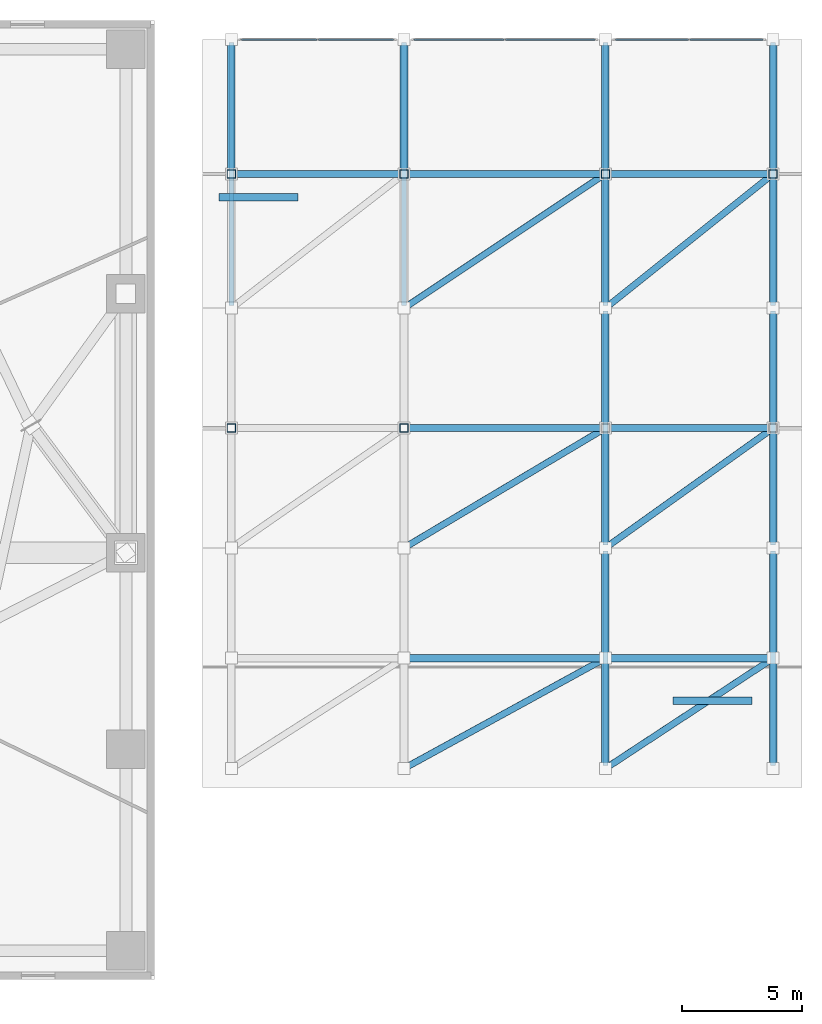
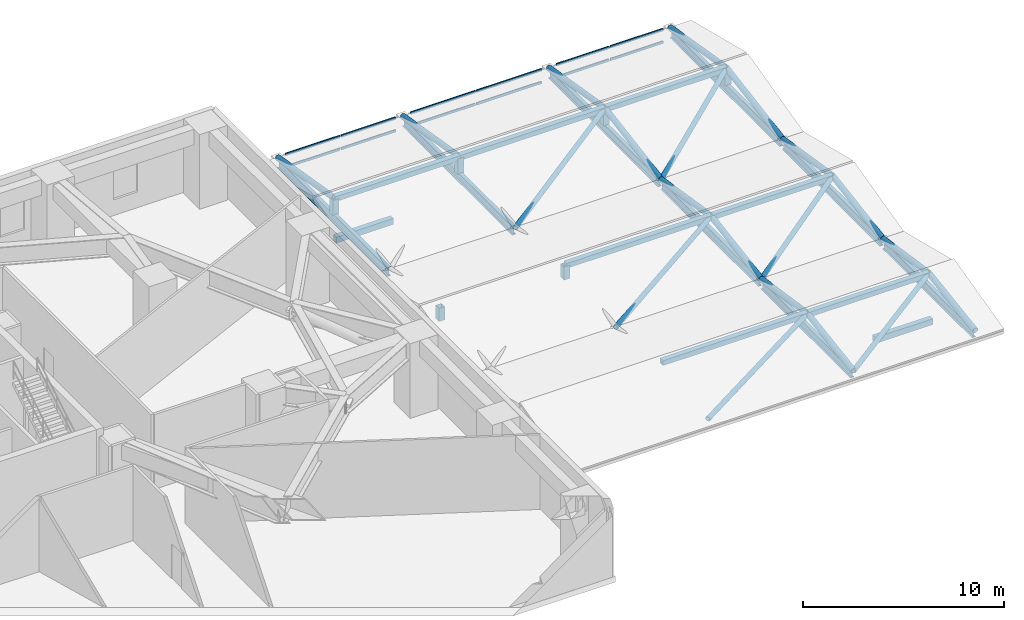
# One storey, part 3 of 13: 45 members, 10 beams, 3 elements without a shape of their own.
"""IFC4 building model written with IfcOpenShell, lengths in metres."""

from ifc_helpers import new_model, si_unit, direction, frame, origin, origin_2d, place, context, subcontext, project, spatial, rectangle, hollow_rectangle, hollow_circle, i_section, extrude, source, transform, mapped, material, layer, layer_set, material_profile, profile_set, type_object, type_shapes, element, aggregate, save


model = new_model("IFC4")

# Units and contexts
model_context = context("Model", 3, precision=1e-05, world=origin(), true_north=direction((0.0, 1.0)))
body_context = subcontext(model_context, "Body", "Model", "MODEL_VIEW")
ifc_project = project(units=[si_unit("LENGTHUNIT", "METRE"), si_unit("AREAUNIT", "SQUARE_METRE"), si_unit("VOLUMEUNIT", "CUBIC_METRE"), si_unit("PLANEANGLEUNIT", "RADIAN"), si_unit("MASSUNIT", "GRAM", prefix="KILO")], contexts=[model_context])

# Site, building, storey
site_placement = place(None, origin())
site = spatial("IfcSite", under=ifc_project, at=site_placement, CompositionType="ELEMENT")
building_placement = place(site_placement, origin())
building = spatial("IfcBuilding", under=site, at=building_placement, Name="Talar Marvaseh", CompositionType="ELEMENT")
storey_placement = place(building_placement, frame((0.0, 0.0, 19.0)))
storey = spatial("IfcBuildingStorey", under=building, at=storey_placement, Name="L04", CompositionType="ELEMENT", Elevation=19.0)

# Beams
ifc_material_1 = material(Name="Concrete C40/50", Category="concrete")
ifc_material_profile_1 = material_profile(ifc_material_1, rectangle(XDim=0.300048828125, YDim=0.360107421875, at=origin_2d()), Name="RC300x360")
ifc_profile_set_1 = profile_set([ifc_material_profile_1], Name="Concrete C40/50")
beam_type_1 = type_object("IfcBeamType", Name="Concrete Stair Landing Trimmer Beam RC300x360", PredefinedType="SPANDREL", material=ifc_profile_set_1)
beam_1_placement = place(storey_placement, frame((57.97998046875, 40.6298828125, -0.179931640625), z_axis=(-1.0, 0.0, 0.0), x_axis=(0.0, -1.0, 0.0)))
element("IfcBeam", 1, at=beam_1_placement, inside=storey, type_object=beam_type_1, Name="L04 MH-ST1 Stair Nosing Trimmer Beam", PredefinedType="SPANDREL", context=body_context, shape_type="SweptSolid", body=[
    extrude(rectangle(XDim=0.300048828125, YDim=0.360107421875, at=origin_2d()), origin(), (0.0, 0.0, 1.0), 3.300048828125),
])
beam_2_placement = place(storey_placement, frame((76.919921875, 19.6298828125, -0.179931640625), z_axis=(-1.0, 0.0, 0.0), x_axis=(0.0, -1.0, 0.0)))
element("IfcBeam", 2, at=beam_2_placement, inside=storey, type_object=beam_type_1, Name="L04 MH-ST2 Stair Nosing Trimmer Beam", PredefinedType="SPANDREL", context=body_context, shape_type="SweptSolid", body=[
    extrude(rectangle(XDim=0.300048828125, YDim=0.360107421875, at=origin_2d()), origin(), (0.0, 0.0, 1.0), 3.2998046875),
])
ifc_material_2 = material(Name="Steel S355", Category="steel")
ifc_material_profile_2 = material_profile(ifc_material_2, i_section(OverallWidth=0.2119140625, OverallDepth=0.5439453125, WebThickness=0.01318359375, FlangeThickness=0.021240234375, at=origin_2d()), Name="W530x123")
ifc_profile_set_2 = profile_set([ifc_material_profile_2], Name="Steel S355")
beam_type_2 = type_object("IfcBeamType", Name="Market Hall Primary Girder W530x123", PredefinedType="BEAM", material=ifc_profile_set_2)
for number, where, z_axis, x_axis, name in (
    (3, (70.800048828125, 16.919921875, 0.3779296875), (0.0, 1.0, 0.0), (-1.0, 0.0, 0.0), "L04 Market Hall Primary Girder W530x123"),
    (4, (77.800048828125, 16.919921875, 0.3779296875), (0.0, 1.0, 0.0), (-1.0, 0.0, 0.0), "L04 Market Hall Primary Girder W530x123"),
):
    element("IfcBeam", number, at=place(storey_placement, frame(where, z_axis=z_axis, x_axis=x_axis)), inside=storey, type_object=beam_type_2, Name=name, PredefinedType="BEAM", context=body_context, shape_type="SweptSolid", body=[
        extrude(i_section(OverallWidth=0.2119140625, OverallDepth=0.5439453125, WebThickness=0.01318359375, FlangeThickness=0.021240234375, at=origin_2d()), origin(), (0.0, 0.0, 1.0), 8.9599609375),
    ])
for number, where, z_axis, x_axis, name in (
    (5, (70.800048828125, 26.1201171875, 0.3779296875), (0.0, 1.0, 0.0), (-1.0, 0.0, 0.0), "L04 Market Hall Primary Girder W530x123"),
    (6, (77.800048828125, 26.1201171875, 0.3779296875), (0.0, 1.0, 0.0), (-1.0, 0.0, 0.0), "L04 Market Hall Primary Girder W530x123"),
):
    element("IfcBeam", number, at=place(storey_placement, frame(where, z_axis=z_axis, x_axis=x_axis)), inside=storey, type_object=beam_type_2, Name=name, PredefinedType="BEAM", context=body_context, shape_type="SweptSolid", body=[
        extrude(i_section(OverallWidth=0.2119140625, OverallDepth=0.5439453125, WebThickness=0.01318359375, FlangeThickness=0.021240234375, at=origin_2d()), origin(), (0.0, 0.0, 1.0), 9.759765625),
    ])
for number, where, z_axis, x_axis, name in (
    (7, (55.199951171875, 36.1201171875, 0.3779296875), (0.0, 1.0, 0.0), (-1.0, 0.0, 0.0), "L04 Market Hall Primary Girder W530x123"),
    (8, (62.39990234375, 36.1201171875, 0.3779296875), (0.0, 1.0, 0.0), (-1.0, 0.0, 0.0), "L04 Market Hall Primary Girder W530x123"),
    (9, (70.800048828125, 36.1201171875, 0.3779296875), (0.0, 1.0, 0.0), (-1.0, 0.0, 0.0), "L04 Market Hall Primary Girder W530x123"),
    (10, (77.800048828125, 36.1201171875, 0.3779296875), (0.0, 1.0, 0.0), (-1.0, 0.0, 0.0), "L04 Market Hall Primary Girder W530x123"),
):
    element("IfcBeam", number, at=place(storey_placement, frame(where, z_axis=z_axis, x_axis=x_axis)), inside=storey, type_object=beam_type_2, Name=name, PredefinedType="BEAM", context=body_context, shape_type="SweptSolid", body=[
        extrude(i_section(OverallWidth=0.2119140625, OverallDepth=0.5439453125, WebThickness=0.01318359375, FlangeThickness=0.021240234375, at=origin_2d()), origin(), (0.0, 0.0, 1.0), 10.9599609375),
    ])

# Members
ifc_material_profile_3 = material_profile(ifc_material_2, hollow_circle(Radius=0.161865234375, WallThickness=0.012451171875, at=origin_2d()), Name="CHS324x12.5")
ifc_profile_set_3 = profile_set([ifc_material_profile_3], Name="Steel S355")
member_type_1 = type_object("IfcMemberType", Name="Market Vault Rib Brace CHS324x12.5", PredefinedType="BRACE", material=ifc_profile_set_3)
shared_shape_1 = source(origin(), body_context, "Body", "SweptSolid", [
    extrude(hollow_circle(Radius=0.161865234375, WallThickness=0.012451171875, at=origin_2d()), origin(), (0.0, 0.0, 1.0), 4.65234375),
])
for number, where, z_axis, x_axis, name in (
    (11, (70.800048828125, 16.800048828125, 0.60009765625), (0.0, 0.988713148776, 0.149820924566), (-1.0, 0.0, 0.0), "L04 Market Vault South Rib 1"),
    (12, (77.800048828125, 16.800048828125, 0.60009765625), (0.0, 0.988713148776, 0.149820924566), (-1.0, 0.0, 0.0), "L04 Market Vault South Rib 1"),
):
    element("IfcMember", number, at=place(storey_placement, frame(where, z_axis=z_axis, x_axis=x_axis)), inside=storey, type_object=member_type_1, Name=name, PredefinedType="BRACE", context=body_context, shape_type="MappedRepresentation", body=[
        mapped(shared_shape_1, transform((0.0, 0.0, 0.0), x_axis=(1.0, 0.0, 0.0), y_axis=(0.0, 1.0, 0.0), z_axis=(0.0, 0.0, 1.0), scale=1.0)),
    ])
shared_shape_2 = source(origin(), body_context, "Body", "SweptSolid", [
    extrude(hollow_circle(Radius=0.161865234375, WallThickness=0.012451171875, at=origin_2d()), origin(), (0.0, 0.0, 1.0), 4.652587890625),
])
for number, where, z_axis, x_axis, name in (
    (13, (70.800048828125, 21.39990234375, 1.297119140625), (0.0, 0.988714326592, -0.149813151599), (-1.0, 0.0, 0.0), "L04 Market Vault North Rib 1"),
    (14, (77.800048828125, 21.39990234375, 1.297119140625), (0.0, 0.988714326592, -0.149813151599), (-1.0, 0.0, 0.0), "L04 Market Vault North Rib 1"),
):
    element("IfcMember", number, at=place(storey_placement, frame(where, z_axis=z_axis, x_axis=x_axis)), inside=storey, type_object=member_type_1, Name=name, PredefinedType="BRACE", context=body_context, shape_type="MappedRepresentation", body=[
        mapped(shared_shape_2, transform((0.0, 0.0, 0.0), x_axis=(1.0, 0.0, 0.0), y_axis=(0.0, 1.0, 0.0), z_axis=(0.0, 0.0, 1.0), scale=1.0)),
    ])
ifc_material_profile_4 = material_profile(ifc_material_2, hollow_rectangle(XDim=0.300048828125, YDim=0.300048828125, WallThickness=0.012451171875, at=origin_2d()), Name="SHS300x300x12.5")
ifc_profile_set_4 = profile_set([ifc_material_profile_4], Name="Steel S355")
member_type_2 = type_object("IfcMemberType", Name="Market Vault Purlin Strut SHS300x300x12.5", PredefinedType="STRUT", material=ifc_profile_set_4)
shared_shape_3 = source(origin(), body_context, "Body", "SweptSolid", [
    extrude(hollow_rectangle(XDim=0.300048828125, YDim=0.300048828125, WallThickness=0.012451171875, at=origin_2d()), origin(), (0.0, 0.0, 1.0), 7.199951171875),
])
member_1_placement = place(storey_placement, frame((55.199951171875, 41.60009765625, 1.5458984375), z_axis=(1.0, 0.0, 0.0), x_axis=(0.0, 1.0, 0.0)))
element("IfcMember", 15, at=member_1_placement, inside=storey, type_object=member_type_2, Name="L04 Market Vault Ridge Purlin 3", PredefinedType="STRUT", context=body_context, shape_type="MappedRepresentation", body=[
    mapped(shared_shape_3, transform((0.0, 0.0, 0.0), x_axis=(1.0, 0.0, 0.0), y_axis=(0.0, 1.0, 0.0), z_axis=(0.0, 0.0, 1.0), scale=1.0)),
])
shared_shape_4 = source(origin(), body_context, "Body", "SweptSolid", [
    extrude(hollow_rectangle(XDim=0.300048828125, YDim=0.300048828125, WallThickness=0.012451171875, at=origin_2d()), origin(), (0.0, 0.0, 1.0), 8.400146484375),
])
for number, where, z_axis, x_axis, name in (
    (16, (62.39990234375, 21.39990234375, 1.297119140625), (1.0, 0.0, 0.0), (0.0, 1.0, 0.0), "L04 Market Vault Ridge Purlin 1"),
    (17, (62.39990234375, 31.0, 1.39697265625), (1.0, 0.0, 0.0), (0.0, 1.0, 0.0), "L04 Market Vault Ridge Purlin 2"),
    (18, (62.39990234375, 41.60009765625, 1.5458984375), (1.0, 0.0, 0.0), (0.0, 1.0, 0.0), "L04 Market Vault Ridge Purlin 3"),
):
    element("IfcMember", number, at=place(storey_placement, frame(where, z_axis=z_axis, x_axis=x_axis)), inside=storey, type_object=member_type_2, Name=name, PredefinedType="STRUT", context=body_context, shape_type="MappedRepresentation", body=[
        mapped(shared_shape_4, transform((0.0, 0.0, 0.0), x_axis=(1.0, 0.0, 0.0), y_axis=(0.0, 1.0, 0.0), z_axis=(0.0, 0.0, 1.0), scale=1.0)),
    ])
ifc_material_profile_5 = material_profile(ifc_material_2, hollow_circle(Radius=0.136474609375, WallThickness=0.010009765625, at=origin_2d()), Name="CHS273x10")
ifc_profile_set_5 = profile_set([ifc_material_profile_5], Name="Steel S355")
member_type_3 = type_object("IfcMemberType", Name="Market Vault Wind Brace CHS273x10", PredefinedType="BRACE", material=ifc_profile_set_5)
shared_shape_5 = source(origin(), body_context, "Body", "SweptSolid", [
    extrude(hollow_circle(Radius=0.136474609375, WallThickness=0.010009765625, at=origin_2d()), origin(), (0.0, 0.0, 1.0), 9.6025390625),
])
member_2_placement = place(storey_placement, frame((62.39990234375, 16.800048828125, 0.60009765625), z_axis=(0.874792449194, 0.479029399112, 0.072587916484), x_axis=(-0.48029641254, 0.877106239917, 0.0)))
element("IfcMember", 19, at=member_2_placement, inside=storey, type_object=member_type_3, Name="L04 Market Vault Wind Brace 1", PredefinedType="BRACE", context=body_context, shape_type="MappedRepresentation", body=[
    mapped(shared_shape_5, transform((0.0, 0.0, 0.0), x_axis=(1.0, 0.0, 0.0), y_axis=(0.0, 1.0, 0.0), z_axis=(0.0, 0.0, 1.0), scale=1.0)),
])
shared_shape_6 = source(origin(), body_context, "Body", "SweptSolid", [
    extrude(hollow_rectangle(XDim=0.300048828125, YDim=0.300048828125, WallThickness=0.012451171875, at=origin_2d()), origin(), (0.0, 0.0, 1.0), 7.0),
])
type_shapes(member_type_2, [shared_shape_3, shared_shape_4, shared_shape_6])
for number, where, z_axis, x_axis, name in (
    (20, (70.800048828125, 21.39990234375, 1.297119140625), (1.0, 0.0, 0.0), (0.0, 1.0, 0.0), "L04 Market Vault Ridge Purlin 1"),
    (21, (70.800048828125, 31.0, 1.39697265625), (1.0, 0.0, 0.0), (0.0, 1.0, 0.0), "L04 Market Vault Ridge Purlin 2"),
    (22, (70.800048828125, 41.60009765625, 1.5458984375), (1.0, 0.0, 0.0), (0.0, 1.0, 0.0), "L04 Market Vault Ridge Purlin 3"),
):
    element("IfcMember", number, at=place(storey_placement, frame(where, z_axis=z_axis, x_axis=x_axis)), inside=storey, type_object=member_type_2, Name=name, PredefinedType="STRUT", context=body_context, shape_type="MappedRepresentation", body=[
        mapped(shared_shape_6, transform((0.0, 0.0, 0.0), x_axis=(1.0, 0.0, 0.0), y_axis=(0.0, 1.0, 0.0), z_axis=(0.0, 0.0, 1.0), scale=1.0)),
    ])
shared_shape_7 = source(origin(), body_context, "Body", "SweptSolid", [
    extrude(hollow_circle(Radius=0.136474609375, WallThickness=0.010009765625, at=origin_2d()), origin(), (0.0, 0.0, 1.0), 8.405029296875),
])
member_3_placement = place(storey_placement, frame((70.800048828125, 16.800048828125, 0.60009765625), z_axis=(0.832834847939, 0.547274043318, 0.082929111707), x_axis=(-0.549165672623, 0.835713505941, 0.0)))
element("IfcMember", 23, at=member_3_placement, inside=storey, type_object=member_type_3, Name="L04 Market Vault Wind Brace 1", PredefinedType="BRACE", context=body_context, shape_type="MappedRepresentation", body=[
    mapped(shared_shape_7, transform((0.0, 0.0, 0.0), x_axis=(1.0, 0.0, 0.0), y_axis=(0.0, 1.0, 0.0), z_axis=(0.0, 0.0, 1.0), scale=1.0)),
])
ifc_material_profile_6 = material_profile(ifc_material_2, hollow_rectangle(XDim=0.35009765625, YDim=0.35009765625, WallThickness=0.01611328125, at=origin_2d()), Name="SHS350x350x16")
ifc_profile_set_6 = profile_set([ifc_material_profile_6], Name="Steel S355")
member_type_4 = type_object("IfcMemberType", Name="Market Vault Ridge Post SHS350x350x16", PredefinedType="POST", material=ifc_profile_set_6)
shared_shape_8 = source(origin(), body_context, "Body", "SweptSolid", [
    extrude(hollow_rectangle(XDim=0.35009765625, YDim=0.35009765625, WallThickness=0.01611328125, at=origin_2d()), origin(), (0.0, 0.0, 1.0), 0.796875),
])
for number, where, z_axis, x_axis, name in (
    (24, (55.199951171875, 31.0, 0.60009765625), (0.0, 0.0, 1.0), (1.0, 0.0, 0.0), "L04 Market Vault Ridge Post 2"),
    (25, (62.39990234375, 31.0, 0.60009765625), (0.0, 0.0, 1.0), (1.0, 0.0, 0.0), "L04 Market Vault Ridge Post 2"),
):
    element("IfcMember", number, at=place(storey_placement, frame(where, z_axis=z_axis, x_axis=x_axis)), inside=storey, type_object=member_type_4, Name=name, PredefinedType="POST", context=body_context, shape_type="MappedRepresentation", body=[
        mapped(shared_shape_8, transform((0.0, 0.0, 0.0), x_axis=(1.0, 0.0, 0.0), y_axis=(0.0, 1.0, 0.0), z_axis=(0.0, 0.0, 1.0), scale=1.0)),
    ])
shared_shape_9 = source(origin(), body_context, "Body", "SweptSolid", [
    extrude(hollow_circle(Radius=0.161865234375, WallThickness=0.012451171875, at=origin_2d()), origin(), (0.0, 0.0, 1.0), 5.06298828125),
])
for number, where, z_axis, x_axis, name in (
    (26, (70.800048828125, 26.0, 0.60009765625), (0.0, 0.987536737213, 0.157388667493), (-1.0, 0.0, 0.0), "L04 Market Vault South Rib 2"),
    (27, (70.800048828125, 31.0, 1.39697265625), (0.0, 0.987536737213, -0.157388667493), (-1.0, 0.0, 0.0), "L04 Market Vault North Rib 2"),
    (28, (77.800048828125, 26.0, 0.60009765625), (0.0, 0.987536737213, 0.157388667493), (-1.0, 0.0, 0.0), "L04 Market Vault South Rib 2"),
    (29, (77.800048828125, 31.0, 1.39697265625), (0.0, 0.987536737213, -0.157388667493), (-1.0, 0.0, 0.0), "L04 Market Vault North Rib 2"),
):
    element("IfcMember", number, at=place(storey_placement, frame(where, z_axis=z_axis, x_axis=x_axis)), inside=storey, type_object=member_type_1, Name=name, PredefinedType="BRACE", context=body_context, shape_type="MappedRepresentation", body=[
        mapped(shared_shape_9, transform((0.0, 0.0, 0.0), x_axis=(1.0, 0.0, 0.0), y_axis=(0.0, 1.0, 0.0), z_axis=(0.0, 0.0, 1.0), scale=1.0)),
    ])
shared_shape_10 = source(origin(), body_context, "Body", "SweptSolid", [
    extrude(hollow_circle(Radius=0.136474609375, WallThickness=0.010009765625, at=origin_2d()), origin(), (0.0, 0.0, 1.0), 9.80810546875),
])
member_4_placement = place(storey_placement, frame((62.39990234375, 26.0, 0.60009765625), z_axis=(0.856455953728, 0.509786320584, 0.081247194843), x_axis=(-0.511477273767, 0.859296804614, 0.0)))
element("IfcMember", 30, at=member_4_placement, inside=storey, type_object=member_type_3, Name="L04 Market Vault Wind Brace 2", PredefinedType="BRACE", context=body_context, shape_type="MappedRepresentation", body=[
    mapped(shared_shape_10, transform((0.0, 0.0, 0.0), x_axis=(1.0, 0.0, 0.0), y_axis=(0.0, 1.0, 0.0), z_axis=(0.0, 0.0, 1.0), scale=1.0)),
])
shared_shape_11 = source(origin(), body_context, "Body", "SweptSolid", [
    extrude(hollow_circle(Radius=0.136474609375, WallThickness=0.010009765625, at=origin_2d()), origin(), (0.0, 0.0, 1.0), 8.63916015625),
])
member_5_placement = place(storey_placement, frame((70.800048828125, 26.0, 0.60009765625), z_axis=(0.810264371978, 0.578760265698, 0.092239917346), x_axis=(-0.581238193719, 0.813733471207, 0.0)))
element("IfcMember", 31, at=member_5_placement, inside=storey, type_object=member_type_3, Name="L04 Market Vault Wind Brace 2", PredefinedType="BRACE", context=body_context, shape_type="MappedRepresentation", body=[
    mapped(shared_shape_11, transform((0.0, 0.0, 0.0), x_axis=(1.0, 0.0, 0.0), y_axis=(0.0, 1.0, 0.0), z_axis=(0.0, 0.0, 1.0), scale=1.0)),
])
shared_shape_12 = source(origin(), body_context, "Body", "SweptSolid", [
    extrude(hollow_rectangle(XDim=0.35009765625, YDim=0.35009765625, WallThickness=0.01611328125, at=origin_2d()), origin(), (0.0, 0.0, 1.0), 0.94580078125),
])
type_shapes(member_type_4, [shared_shape_8, shared_shape_12])
for number, where, z_axis, x_axis, name in (
    (32, (55.199951171875, 41.60009765625, 0.60009765625), (0.0, 0.0, 1.0), (1.0, 0.0, 0.0), "L04 Market Vault Ridge Post 3"),
    (33, (62.39990234375, 41.60009765625, 0.60009765625), (0.0, 0.0, 1.0), (1.0, 0.0, 0.0), "L04 Market Vault Ridge Post 3"),
    (34, (70.800048828125, 41.60009765625, 0.60009765625), (0.0, 0.0, 1.0), (1.0, 0.0, 0.0), "L04 Market Vault Ridge Post 3"),
    (35, (77.800048828125, 41.60009765625, 0.60009765625), (0.0, 0.0, 1.0), (1.0, 0.0, 0.0), "L04 Market Vault Ridge Post 3"),
):
    element("IfcMember", number, at=place(storey_placement, frame(where, z_axis=z_axis, x_axis=x_axis)), inside=storey, type_object=member_type_4, Name=name, PredefinedType="POST", context=body_context, shape_type="MappedRepresentation", body=[
        mapped(shared_shape_12, transform((0.0, 0.0, 0.0), x_axis=(1.0, 0.0, 0.0), y_axis=(0.0, 1.0, 0.0), z_axis=(0.0, 0.0, 1.0), scale=1.0)),
    ])
shared_shape_13 = source(origin(), body_context, "Body", "SweptSolid", [
    extrude(hollow_circle(Radius=0.161865234375, WallThickness=0.012451171875, at=origin_2d()), origin(), (0.0, 0.0, 1.0), 5.679443359375),
])
for number, where, z_axis, x_axis, name in (
    (36, (70.800048828125, 36.0, 0.60009765625), (0.0, 0.986036103207, 0.166531688195), (-1.0, 0.0, 0.0), "L04 Market Vault South Rib 3"),
    (37, (77.800048828125, 36.0, 0.60009765625), (0.0, 0.986036103207, 0.166531688195), (-1.0, 0.0, 0.0), "L04 Market Vault South Rib 3"),
):
    element("IfcMember", number, at=place(storey_placement, frame(where, z_axis=z_axis, x_axis=x_axis)), inside=storey, type_object=member_type_1, Name=name, PredefinedType="BRACE", context=body_context, shape_type="MappedRepresentation", body=[
        mapped(shared_shape_13, transform((0.0, 0.0, 0.0), x_axis=(1.0, 0.0, 0.0), y_axis=(0.0, 1.0, 0.0), z_axis=(0.0, 0.0, 1.0), scale=1.0)),
    ])
shared_shape_14 = source(origin(), body_context, "Body", "SweptSolid", [
    extrude(hollow_circle(Radius=0.161865234375, WallThickness=0.012451171875, at=origin_2d()), origin(), (0.0, 0.0, 1.0), 5.67919921875),
])
type_shapes(member_type_1, [shared_shape_1, shared_shape_2, shared_shape_9, shared_shape_13, shared_shape_14])
for number, where, z_axis, x_axis, name in (
    (38, (55.199951171875, 41.60009765625, 1.5458984375), (0.0, 0.98603491098, -0.166538747227), (-1.0, 0.0, 0.0), "L04 Market Vault North Rib 3"),
    (39, (62.39990234375, 41.60009765625, 1.5458984375), (0.0, 0.98603491098, -0.166538747227), (-1.0, 0.0, 0.0), "L04 Market Vault North Rib 3"),
    (40, (70.800048828125, 41.60009765625, 1.5458984375), (0.0, 0.98603491098, -0.166538747227), (-1.0, 0.0, 0.0), "L04 Market Vault North Rib 3"),
    (41, (77.800048828125, 41.60009765625, 1.5458984375), (0.0, 0.98603491098, -0.166538747227), (-1.0, 0.0, 0.0), "L04 Market Vault North Rib 3"),
):
    element("IfcMember", number, at=place(storey_placement, frame(where, z_axis=z_axis, x_axis=x_axis)), inside=storey, type_object=member_type_1, Name=name, PredefinedType="BRACE", context=body_context, shape_type="MappedRepresentation", body=[
        mapped(shared_shape_14, transform((0.0, 0.0, 0.0), x_axis=(1.0, 0.0, 0.0), y_axis=(0.0, 1.0, 0.0), z_axis=(0.0, 0.0, 1.0), scale=1.0)),
    ])
shared_shape_15 = source(origin(), body_context, "Body", "SweptSolid", [
    extrude(hollow_circle(Radius=0.136474609375, WallThickness=0.010009765625, at=origin_2d()), origin(), (0.0, 0.0, 1.0), 10.139892578125),
])
member_6_placement = place(storey_placement, frame((62.39990234375, 36.0, 0.60009765625), z_axis=(0.828422880697, 0.552281920464, 0.093274921958), x_axis=(-0.554700196225, 0.832050294338, 0.0)))
element("IfcMember", 42, at=member_6_placement, inside=storey, type_object=member_type_3, Name="L04 Market Vault Wind Brace 3", PredefinedType="BRACE", context=body_context, shape_type="MappedRepresentation", body=[
    mapped(shared_shape_15, transform((0.0, 0.0, 0.0), x_axis=(1.0, 0.0, 0.0), y_axis=(0.0, 1.0, 0.0), z_axis=(0.0, 0.0, 1.0), scale=1.0)),
])
shared_shape_16 = source(origin(), body_context, "Body", "SweptSolid", [
    extrude(hollow_circle(Radius=0.136474609375, WallThickness=0.010009765625, at=origin_2d()), origin(), (0.0, 0.0, 1.0), 9.01416015625),
])
type_shapes(member_type_3, [shared_shape_5, shared_shape_7, shared_shape_10, shared_shape_11, shared_shape_15, shared_shape_16])
member_7_placement = place(storey_placement, frame((70.800048828125, 36.0, 0.60009765625), z_axis=(0.776553356845, 0.621253519088, 0.104923538798), x_axis=(-0.624701690058, 0.780863495394, 0.0)))
element("IfcMember", 43, at=member_7_placement, inside=storey, type_object=member_type_3, Name="L04 Market Vault Wind Brace 3", PredefinedType="BRACE", context=body_context, shape_type="MappedRepresentation", body=[
    mapped(shared_shape_16, transform((0.0, 0.0, 0.0), x_axis=(1.0, 0.0, 0.0), y_axis=(0.0, 1.0, 0.0), z_axis=(0.0, 0.0, 1.0), scale=1.0)),
])

# Curtain wall, members
ifc_material_3 = material(Name="Architectural Aluminium", Category="aluminium")
ifc_layer = layer(ifc_material_3, 0.169921875)
ifc_layer_set = layer_set([ifc_layer], Name="Architectural Aluminium")
curtain_wall_type = type_object("IfcCurtainWallType", Name="Market Hall Clerestory and Courtyard Curtain Wall", PredefinedType="NOTDEFINED", material=ifc_layer_set)
curtain_wall_1_placement = place(storey_placement, origin())
curtain_wall_1 = element("IfcCurtainWall", 44, at=curtain_wall_1_placement, inside=storey, type_object=curtain_wall_type, Name="L04 Market Hall Clerestory and Courtyard Curtain Wall", PredefinedType="NOTDEFINED")
ifc_material_profile_7 = material_profile(ifc_material_3, hollow_rectangle(XDim=0.06494140625, YDim=0.14990234375, WallThickness=0.00390625, at=origin_2d()), Name="RHS150x65x4")
ifc_profile_set_7 = profile_set([ifc_material_profile_7], Name="Architectural Aluminium")
member_type_5 = type_object("IfcMemberType", Name="Unitised Curtain Wall Slim Transom RHS150x65x4", PredefinedType="USERDEFINED", material=ifc_profile_set_7)
shared_shape_17 = source(origin(), body_context, "Body", "SweptSolid", [
    extrude(hollow_rectangle(XDim=0.06494140625, YDim=0.14990234375, WallThickness=0.00390625, at=origin_2d()), origin(), (0.0, 0.0, 1.0), 3.142578125),
])
member_8_placement = place(storey_placement, frame((55.625, 47.199951171875, -0.117431640625), z_axis=(1.0, 0.0, 0.0), x_axis=(0.0, 1.0, 0.0)))
member_8 = element("IfcMember", 45, at=member_8_placement, type_object=member_type_5, Name="CW-MKT transom 1.1", ObjectType="TRANSOM", PredefinedType="USERDEFINED", context=body_context, shape_type="MappedRepresentation", body=[
    mapped(shared_shape_17, transform((0.0, 0.0, 0.0), x_axis=(1.0, 0.0, 0.0), y_axis=(0.0, 1.0, 0.0), z_axis=(0.0, 0.0, 1.0), scale=1.0)),
])
member_9_placement = place(storey_placement, frame((55.625, 47.199951171875, 0.6474609375), z_axis=(1.0, 0.0, 0.0), x_axis=(0.0, 1.0, 0.0)))
member_9 = element("IfcMember", 46, at=member_9_placement, type_object=member_type_5, Name="CW-MKT transom 1.2", ObjectType="TRANSOM", PredefinedType="USERDEFINED", context=body_context, shape_type="MappedRepresentation", body=[
    mapped(shared_shape_17, transform((0.0, 0.0, 0.0), x_axis=(1.0, 0.0, 0.0), y_axis=(0.0, 1.0, 0.0), z_axis=(0.0, 0.0, 1.0), scale=1.0)),
])
member_10_placement = place(storey_placement, frame((58.83251953125, 47.199951171875, -0.117431640625), z_axis=(1.0, 0.0, 0.0), x_axis=(0.0, 1.0, 0.0)))
member_10 = element("IfcMember", 47, at=member_10_placement, type_object=member_type_5, Name="CW-MKT transom 2.1", ObjectType="TRANSOM", PredefinedType="USERDEFINED", context=body_context, shape_type="MappedRepresentation", body=[
    mapped(shared_shape_17, transform((0.0, 0.0, 0.0), x_axis=(1.0, 0.0, 0.0), y_axis=(0.0, 1.0, 0.0), z_axis=(0.0, 0.0, 1.0), scale=1.0)),
])
member_11_placement = place(storey_placement, frame((58.83251953125, 47.199951171875, 0.6474609375), z_axis=(1.0, 0.0, 0.0), x_axis=(0.0, 1.0, 0.0)))
member_11 = element("IfcMember", 48, at=member_11_placement, type_object=member_type_5, Name="CW-MKT transom 2.2", ObjectType="TRANSOM", PredefinedType="USERDEFINED", context=body_context, shape_type="MappedRepresentation", body=[
    mapped(shared_shape_17, transform((0.0, 0.0, 0.0), x_axis=(1.0, 0.0, 0.0), y_axis=(0.0, 1.0, 0.0), z_axis=(0.0, 0.0, 1.0), scale=1.0)),
])
aggregate(curtain_wall_1, [member_8, member_9, member_10, member_11])

curtain_wall_2_placement = place(storey_placement, origin())
curtain_wall_2 = element("IfcCurtainWall", 49, at=curtain_wall_2_placement, inside=storey, type_object=curtain_wall_type, Name="L04 Market Hall Clerestory and Courtyard Curtain Wall", PredefinedType="NOTDEFINED")
shared_shape_18 = source(origin(), body_context, "Body", "SweptSolid", [
    extrude(hollow_rectangle(XDim=0.06494140625, YDim=0.14990234375, WallThickness=0.00390625, at=origin_2d()), origin(), (0.0, 0.0, 1.0), 3.742431640625),
])
member_12_placement = place(storey_placement, frame((62.824951171875, 47.199951171875, -0.117431640625), z_axis=(1.0, 0.0, 0.0), x_axis=(0.0, 1.0, 0.0)))
member_12 = element("IfcMember", 50, at=member_12_placement, type_object=member_type_5, Name="CW-MKT transom 1.1", ObjectType="TRANSOM", PredefinedType="USERDEFINED", context=body_context, shape_type="MappedRepresentation", body=[
    mapped(shared_shape_18, transform((0.0, 0.0, 0.0), x_axis=(1.0, 0.0, 0.0), y_axis=(0.0, 1.0, 0.0), z_axis=(0.0, 0.0, 1.0), scale=1.0)),
])
member_13_placement = place(storey_placement, frame((62.824951171875, 47.199951171875, 0.6474609375), z_axis=(1.0, 0.0, 0.0), x_axis=(0.0, 1.0, 0.0)))
member_13 = element("IfcMember", 51, at=member_13_placement, type_object=member_type_5, Name="CW-MKT transom 1.2", ObjectType="TRANSOM", PredefinedType="USERDEFINED", context=body_context, shape_type="MappedRepresentation", body=[
    mapped(shared_shape_18, transform((0.0, 0.0, 0.0), x_axis=(1.0, 0.0, 0.0), y_axis=(0.0, 1.0, 0.0), z_axis=(0.0, 0.0, 1.0), scale=1.0)),
])
member_14_placement = place(storey_placement, frame((66.632568359375, 47.199951171875, -0.117431640625), z_axis=(1.0, 0.0, 0.0), x_axis=(0.0, 1.0, 0.0)))
member_14 = element("IfcMember", 52, at=member_14_placement, type_object=member_type_5, Name="CW-MKT transom 2.1", ObjectType="TRANSOM", PredefinedType="USERDEFINED", context=body_context, shape_type="MappedRepresentation", body=[
    mapped(shared_shape_18, transform((0.0, 0.0, 0.0), x_axis=(1.0, 0.0, 0.0), y_axis=(0.0, 1.0, 0.0), z_axis=(0.0, 0.0, 1.0), scale=1.0)),
])
member_15_placement = place(storey_placement, frame((66.632568359375, 47.199951171875, 0.6474609375), z_axis=(1.0, 0.0, 0.0), x_axis=(0.0, 1.0, 0.0)))
member_15 = element("IfcMember", 53, at=member_15_placement, type_object=member_type_5, Name="CW-MKT transom 2.2", ObjectType="TRANSOM", PredefinedType="USERDEFINED", context=body_context, shape_type="MappedRepresentation", body=[
    mapped(shared_shape_18, transform((0.0, 0.0, 0.0), x_axis=(1.0, 0.0, 0.0), y_axis=(0.0, 1.0, 0.0), z_axis=(0.0, 0.0, 1.0), scale=1.0)),
])
aggregate(curtain_wall_2, [member_12, member_13, member_14, member_15])

curtain_wall_3_placement = place(storey_placement, origin())
curtain_wall_3 = element("IfcCurtainWall", 54, at=curtain_wall_3_placement, inside=storey, type_object=curtain_wall_type, Name="L04 Market Hall Clerestory and Courtyard Curtain Wall", PredefinedType="NOTDEFINED")
shared_shape_19 = source(origin(), body_context, "Body", "SweptSolid", [
    extrude(hollow_rectangle(XDim=0.06494140625, YDim=0.14990234375, WallThickness=0.00390625, at=origin_2d()), origin(), (0.0, 0.0, 1.0), 3.04248046875),
])
type_shapes(member_type_5, [shared_shape_17, shared_shape_18, shared_shape_19])
member_16_placement = place(storey_placement, frame((71.22509765625, 47.199951171875, -0.117431640625), z_axis=(1.0, 0.0, 0.0), x_axis=(0.0, 1.0, 0.0)))
member_16 = element("IfcMember", 55, at=member_16_placement, type_object=member_type_5, Name="CW-MKT transom 1.1", ObjectType="TRANSOM", PredefinedType="USERDEFINED", context=body_context, shape_type="MappedRepresentation", body=[
    mapped(shared_shape_19, transform((0.0, 0.0, 0.0), x_axis=(1.0, 0.0, 0.0), y_axis=(0.0, 1.0, 0.0), z_axis=(0.0, 0.0, 1.0), scale=1.0)),
])
member_17_placement = place(storey_placement, frame((71.22509765625, 47.199951171875, 0.6474609375), z_axis=(1.0, 0.0, 0.0), x_axis=(0.0, 1.0, 0.0)))
member_17 = element("IfcMember", 56, at=member_17_placement, type_object=member_type_5, Name="CW-MKT transom 1.2", ObjectType="TRANSOM", PredefinedType="USERDEFINED", context=body_context, shape_type="MappedRepresentation", body=[
    mapped(shared_shape_19, transform((0.0, 0.0, 0.0), x_axis=(1.0, 0.0, 0.0), y_axis=(0.0, 1.0, 0.0), z_axis=(0.0, 0.0, 1.0), scale=1.0)),
])
member_18_placement = place(storey_placement, frame((74.33251953125, 47.199951171875, -0.117431640625), z_axis=(1.0, 0.0, 0.0), x_axis=(0.0, 1.0, 0.0)))
member_18 = element("IfcMember", 57, at=member_18_placement, type_object=member_type_5, Name="CW-MKT transom 2.1", ObjectType="TRANSOM", PredefinedType="USERDEFINED", context=body_context, shape_type="MappedRepresentation", body=[
    mapped(shared_shape_19, transform((0.0, 0.0, 0.0), x_axis=(1.0, 0.0, 0.0), y_axis=(0.0, 1.0, 0.0), z_axis=(0.0, 0.0, 1.0), scale=1.0)),
])
member_19_placement = place(storey_placement, frame((74.33251953125, 47.199951171875, 0.6474609375), z_axis=(1.0, 0.0, 0.0), x_axis=(0.0, 1.0, 0.0)))
member_19 = element("IfcMember", 58, at=member_19_placement, type_object=member_type_5, Name="CW-MKT transom 2.2", ObjectType="TRANSOM", PredefinedType="USERDEFINED", context=body_context, shape_type="MappedRepresentation", body=[
    mapped(shared_shape_19, transform((0.0, 0.0, 0.0), x_axis=(1.0, 0.0, 0.0), y_axis=(0.0, 1.0, 0.0), z_axis=(0.0, 0.0, 1.0), scale=1.0)),
])
aggregate(curtain_wall_3, [member_16, member_17, member_18, member_19])

save(model, "model.ifc")
